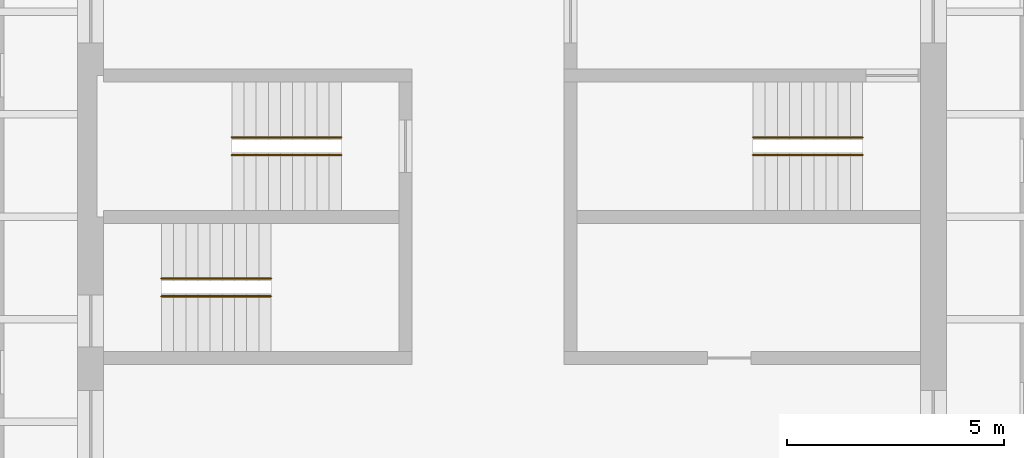
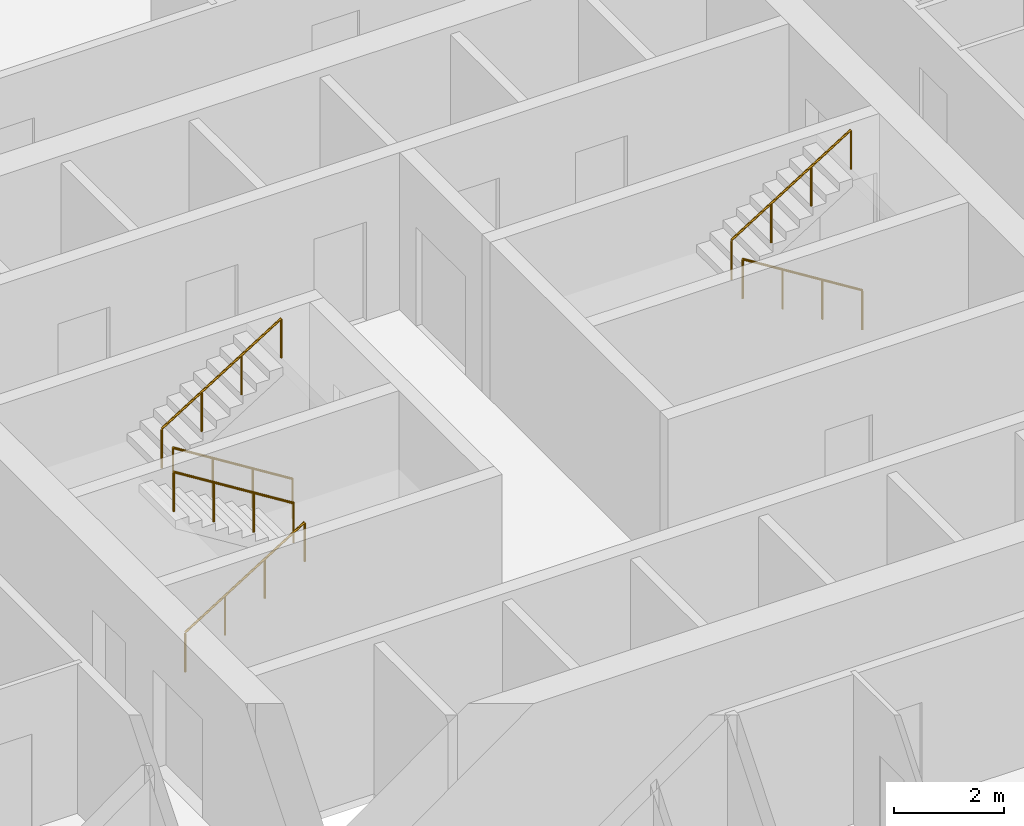
# One storey, part 8 of 8: 6 railings.
"""IFC4 building model written with IfcOpenShell, lengths in metres."""

from ifc_helpers import new_model, si_unit, direction, frame, origin, origin_2d, place, context, subcontext, project, spatial, circle, extrude, material, type_object, element, save


model = new_model("IFC4")

# Units and contexts
model_context = context("Model", 3, precision=1e-05, world=origin(), true_north=direction((0.0, 1.0)))
body_context = subcontext(model_context, "Body", "Model", "MODEL_VIEW")
ifc_project = project(units=[si_unit("LENGTHUNIT", "METRE"), si_unit("AREAUNIT", "SQUARE_METRE"), si_unit("VOLUMEUNIT", "CUBIC_METRE"), si_unit("PLANEANGLEUNIT", "RADIAN"), si_unit("MASSUNIT", "GRAM", prefix="KILO")], contexts=[model_context])

# Site, building, storey
site_placement = place(None, origin())
site = spatial("IfcSite", under=ifc_project, at=site_placement, CompositionType="ELEMENT")
building_placement = place(site_placement, origin())
building = spatial("IfcBuilding", under=site, at=building_placement, Name="Turquesa Mirador Hotel Tower", CompositionType="ELEMENT")
storey_placement = place(building_placement, frame((0.0, 0.0, 103.89990234375)))
storey = spatial("IfcBuildingStorey", under=building, at=storey_placement, Name="L27", CompositionType="ELEMENT", Elevation=103.89990234375)

# Railings
ifc_material = material(Name="Painted steel handrail", Category="steel")
railing_type = type_object("IfcRailingType", Name="HANDRAIL 900 STEEL", PredefinedType="HANDRAIL", material=ifc_material)
railing_1_placement = place(storey_placement, frame((51.070068359375, 46.419921875, 0.175048828125)))
element("IfcRailing", 1, at=railing_1_placement, inside=storey, type_object=railing_type, Name="Handrail ST1", PredefinedType="HANDRAIL", context=body_context, shape_type="SweptSolid", body=[
    extrude(circle(Radius=0.02392578125, at=origin_2d()), frame((0.0, 0.0, 0.8759765625), z_axis=(-0.848007534815, 0.0, 0.529984170421), x_axis=(0.0, -1.0, 0.0)), (0.0, 0.0, 1.0), 2.9716796875),
    extrude(circle(Radius=0.02099609375, at=origin_2d()), origin(), (0.0, 0.0, 1.0), 0.851806640625),
    extrude(circle(Radius=0.02099609375, at=origin_2d()), frame((-0.840087890625, 0.0, 0.52490234375)), (0.0, 0.0, 1.0), 0.851806640625),
    extrude(circle(Radius=0.02099609375, at=origin_2d()), frame((-1.679931640625, 0.0, 1.050048828125)), (0.0, 0.0, 1.0), 0.851806640625),
    extrude(circle(Radius=0.02099609375, at=origin_2d()), frame((-2.52001953125, 0.0, 1.574951171875)), (0.0, 0.0, 1.0), 0.851806640625),
])
for number, where, name in (
    (2, (48.550048828125, 46.830078125, 1.925048828125), "Handrail ST1"),
    (3, (46.929931640625, 43.169921875, 0.175048828125), "Handrail ST2"),
):
    element("IfcRailing", number, at=place(storey_placement, frame(where)), inside=storey, type_object=railing_type, Name=name, PredefinedType="HANDRAIL", context=body_context, shape_type="SweptSolid", body=[
        extrude(circle(Radius=0.02392578125, at=origin_2d()), frame((0.0, 0.0, 0.8759765625), z_axis=(0.848007534815, 0.0, 0.529984170421), x_axis=(0.0, 1.0, 0.0)), (0.0, 0.0, 1.0), 2.9716796875),
        extrude(circle(Radius=0.02099609375, at=origin_2d()), origin(), (0.0, 0.0, 1.0), 0.851806640625),
        extrude(circle(Radius=0.02099609375, at=origin_2d()), frame((0.840087890625, 0.0, 0.52490234375)), (0.0, 0.0, 1.0), 0.851806640625),
        extrude(circle(Radius=0.02099609375, at=origin_2d()), frame((1.679931640625, 0.0, 1.050048828125)), (0.0, 0.0, 1.0), 0.851806640625),
        extrude(circle(Radius=0.02099609375, at=origin_2d()), frame((2.52001953125, 0.0, 1.574951171875)), (0.0, 0.0, 1.0), 0.851806640625),
    ])
for number, where, name in (
    (4, (49.449951171875, 43.580078125, 1.925048828125), "Handrail ST2"),
    (5, (63.070068359375, 46.419921875, 0.175048828125), "Handrail ST3"),
):
    element("IfcRailing", number, at=place(storey_placement, frame(where)), inside=storey, type_object=railing_type, Name=name, PredefinedType="HANDRAIL", context=body_context, shape_type="SweptSolid", body=[
        extrude(circle(Radius=0.02392578125, at=origin_2d()), frame((0.0, 0.0, 0.8759765625), z_axis=(-0.848007534815, 0.0, 0.529984170421), x_axis=(0.0, -1.0, 0.0)), (0.0, 0.0, 1.0), 2.9716796875),
        extrude(circle(Radius=0.02099609375, at=origin_2d()), origin(), (0.0, 0.0, 1.0), 0.851806640625),
        extrude(circle(Radius=0.02099609375, at=origin_2d()), frame((-0.840087890625, 0.0, 0.52490234375)), (0.0, 0.0, 1.0), 0.851806640625),
        extrude(circle(Radius=0.02099609375, at=origin_2d()), frame((-1.679931640625, 0.0, 1.050048828125)), (0.0, 0.0, 1.0), 0.851806640625),
        extrude(circle(Radius=0.02099609375, at=origin_2d()), frame((-2.52001953125, 0.0, 1.574951171875)), (0.0, 0.0, 1.0), 0.851806640625),
    ])
railing_2_placement = place(storey_placement, frame((60.550048828125, 46.830078125, 1.925048828125)))
element("IfcRailing", 6, at=railing_2_placement, inside=storey, type_object=railing_type, Name="Handrail ST3", PredefinedType="HANDRAIL", context=body_context, shape_type="SweptSolid", body=[
    extrude(circle(Radius=0.02392578125, at=origin_2d()), frame((0.0, 0.0, 0.8759765625), z_axis=(0.848007534815, 0.0, 0.529984170421), x_axis=(0.0, 1.0, 0.0)), (0.0, 0.0, 1.0), 2.9716796875),
    extrude(circle(Radius=0.02099609375, at=origin_2d()), origin(), (0.0, 0.0, 1.0), 0.851806640625),
    extrude(circle(Radius=0.02099609375, at=origin_2d()), frame((0.840087890625, 0.0, 0.52490234375)), (0.0, 0.0, 1.0), 0.851806640625),
    extrude(circle(Radius=0.02099609375, at=origin_2d()), frame((1.679931640625, 0.0, 1.050048828125)), (0.0, 0.0, 1.0), 0.851806640625),
    extrude(circle(Radius=0.02099609375, at=origin_2d()), frame((2.52001953125, 0.0, 1.574951171875)), (0.0, 0.0, 1.0), 0.851806640625),
])

save(model, "model.ifc")
